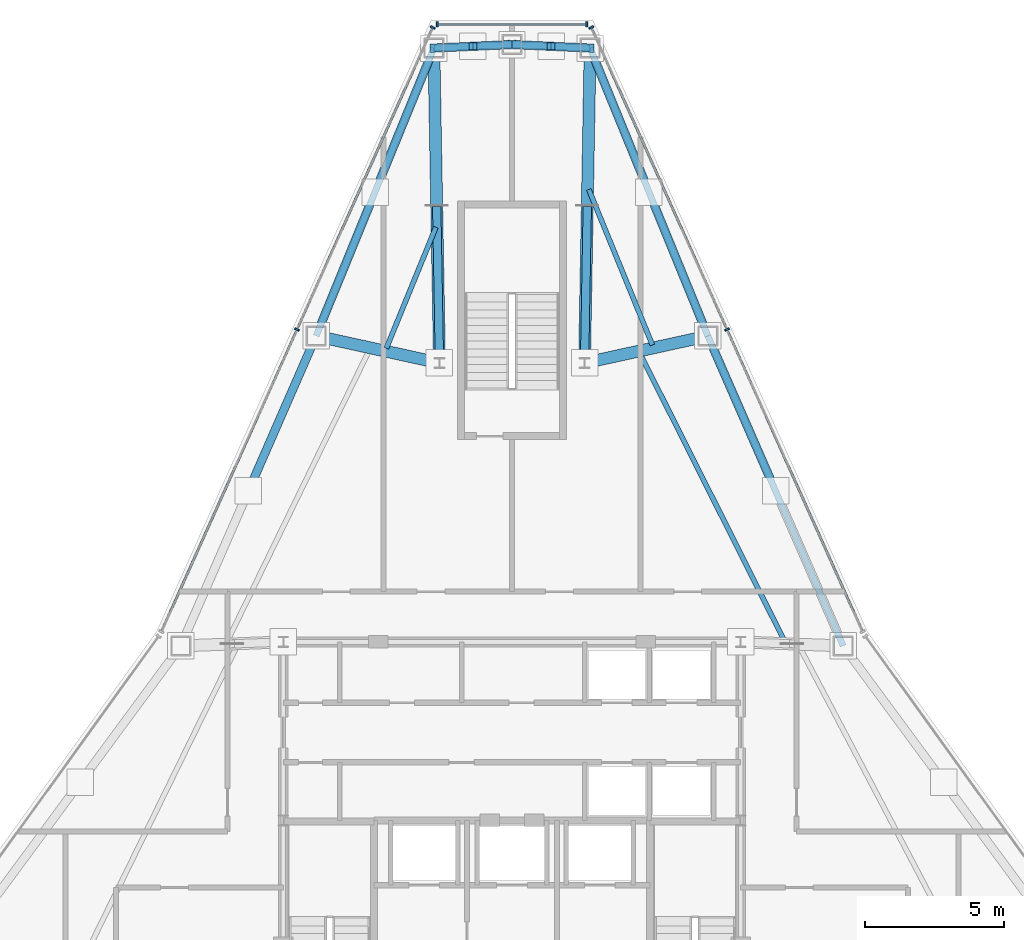
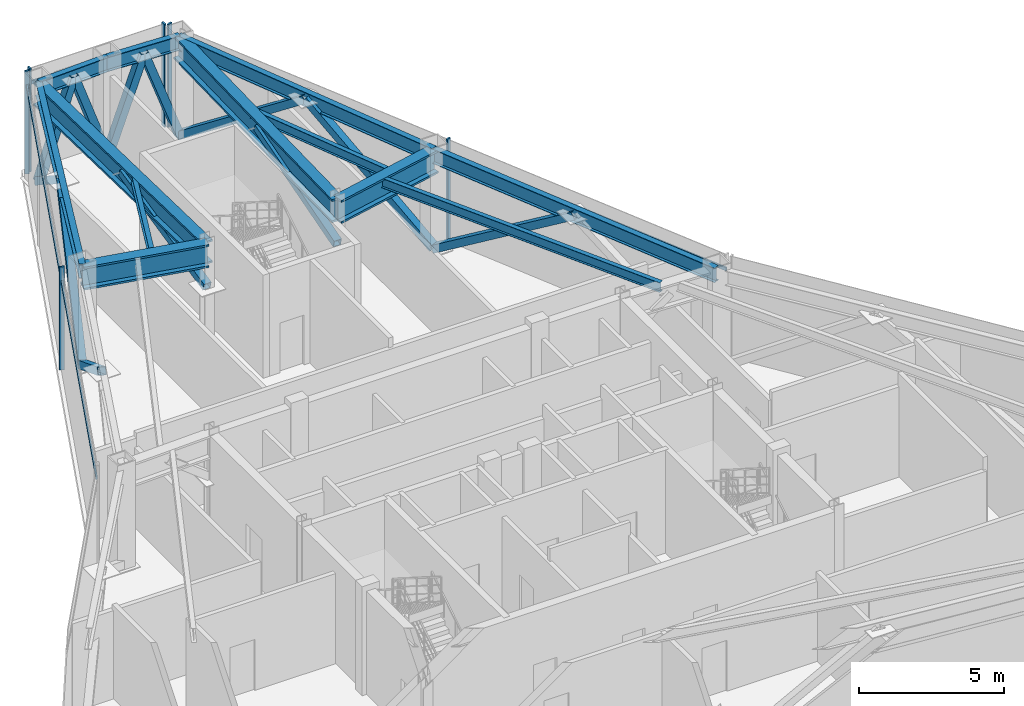
# One storey, part 7 of 12: 21 members, 12 beams, 3 elements without a shape of their own.
"""IFC4 building model written with IfcOpenShell, lengths in metres."""

import ifcopenshell
import ifcopenshell.guid

model = None  # the IFC model being written
_history = None  # IfcOwnerHistory: only IFC2X3 demands one
_inside = {}  # id of a spatial element -> (the spatial element, [elements in it])
_under = {}  # id of a project, library or spatial element -> (it, [spatial elements below it])
_declared = {}  # id of a project -> (the project, [libraries it declares])
_typed = {}  # id of a type object -> (the type object, [elements of that type])
_made_of = {}  # id of a material, layer set ... -> (it, [elements and type objects made of it])


def new_model(schema):
    """Start an empty IFC model of exactly this schema.

    Asked for "IFC4X3", IfcOpenShell would pick the latest addendum, in which some entities
    have other attributes; the version numbers below select the first issue.
    IFC2X3 requires an IfcOwnerHistory on every rooted entity: one is made here for all.
    """
    global model, _history
    if schema == "IFC4X3":
        model = ifcopenshell.file(schema_version=(4, 3, 0, 0))
    else:
        model = ifcopenshell.file(schema=schema)
    _inside.clear()
    _under.clear()
    _declared.clear()
    _typed.clear()
    _made_of.clear()
    _history = None
    if model.schema == "IFC2X3":
        org = make("IfcOrganization", Name="unknown")
        user = make(
            "IfcPersonAndOrganization",
            ThePerson=make("IfcPerson", FamilyName="unknown"),
            TheOrganization=org,
        )
        app = make(
            "IfcApplication",
            ApplicationDeveloper=org,
            Version="unknown",
            ApplicationFullName="unknown",
            ApplicationIdentifier="unknown",
        )
        _history = make(
            "IfcOwnerHistory",
            OwningUser=user,
            OwningApplication=app,
            ChangeAction="ADDED",
            CreationDate=0,
        )
    return model


def make(cls, **values):
    """One entity of the class cls with the attributes given. An attribute that is None is left unset."""
    return model.create_entity(
        cls, **{name: value for name, value in values.items() if value is not None}
    )


def rooted(cls, **values):
    """An entity with a GlobalId (a new one), such as an element, a storey or a relation."""
    return make(cls, GlobalId=ifcopenshell.guid.new(), OwnerHistory=_history, **values)


def si_unit(unit_type, name, prefix=None):
    """IfcSIUnit, for example si_unit("LENGTHUNIT", "METRE", prefix="MILLI")."""
    return make("IfcSIUnit", UnitType=unit_type, Prefix=prefix, Name=name)


def assignment(units):
    """IfcUnitAssignment: the units of a project."""
    return None if units is None else make("IfcUnitAssignment", Units=units)


def point(xyz):
    """IfcCartesianPoint."""
    return None if xyz is None else make("IfcCartesianPoint", Coordinates=xyz)


def direction(xyz):
    """IfcDirection."""
    return None if xyz is None else make("IfcDirection", DirectionRatios=xyz)


def frame(location, z_axis=None, x_axis=None):
    """IfcAxis2Placement3D, a coordinate frame: its origin and axes. An axis left out is left unset."""
    return make(
        "IfcAxis2Placement3D",
        Location=point(location),
        Axis=direction(z_axis),
        RefDirection=direction(x_axis),
    )


def frame_2d(location, x_axis=None):
    """IfcAxis2Placement2D, a coordinate frame in the plane: its origin and x axis."""
    return make(
        "IfcAxis2Placement2D", Location=point(location), RefDirection=direction(x_axis)
    )


def origin():
    """The frame at (0, 0, 0) with its axes left unset."""
    return frame((0.0, 0.0, 0.0))


def origin_2d():
    """The frame at (0, 0) in the plane with its x axis left unset."""
    return frame_2d((0.0, 0.0))


def place(relative_to, where):
    """IfcLocalPlacement: puts the frame where relative to a parent placement (None: the world)."""
    return make(
        "IfcLocalPlacement", PlacementRelTo=relative_to, RelativePlacement=where
    )


def context(
    kind, dimensions, precision=None, world=None, true_north=None, identifier=None
):
    """IfcGeometricRepresentationContext, for example the 3D "Model" context."""
    return make(
        "IfcGeometricRepresentationContext",
        ContextIdentifier=identifier,
        ContextType=kind,
        CoordinateSpaceDimension=dimensions,
        Precision=precision,
        WorldCoordinateSystem=world,
        TrueNorth=true_north,
    )


def subcontext(parent, identifier, kind, view, scale=None):
    """IfcGeometricRepresentationSubContext, for example "Body" below "Model"."""
    return make(
        "IfcGeometricRepresentationSubContext",
        ContextIdentifier=identifier,
        ContextType=kind,
        ParentContext=parent,
        TargetScale=scale,
        TargetView=view,
    )


def project(units=None, contexts=None):
    """IfcProject with its units and contexts."""
    return rooted(
        "IfcProject",
        Name="project",
        RepresentationContexts=contexts,
        UnitsInContext=assignment(units),
    )


def spatial(cls, under=None, at=None, **own):
    """A site, building, storey or space (cls), placed at a placement, below another one or the project."""
    s = rooted(cls, ObjectPlacement=at, **own)
    if under is not None:
        _under.setdefault(under.id(), (under, []))[1].append(s)
    return s


def profile(cls, at=None, kind="AREA", **sizes):
    """A parametric profile (cls). Its sizes go by their IFC names, for example OverallWidth=200.0."""
    return make(cls, ProfileType=kind, Position=at, **sizes)


def rectangle(**sizes):
    """IfcRectangleProfileDef."""
    return profile("IfcRectangleProfileDef", **sizes)


def hollow_rectangle(**sizes):
    """IfcRectangleHollowProfileDef."""
    return profile("IfcRectangleHollowProfileDef", **sizes)


def i_section(**sizes):
    """IfcIShapeProfileDef."""
    return profile("IfcIShapeProfileDef", **sizes)


def extrude(swept, where, along, depth):
    """IfcExtrudedAreaSolid: the profile swept, set in the frame where, extruded along a direction by depth."""
    return make(
        "IfcExtrudedAreaSolid",
        SweptArea=swept,
        Position=where,
        ExtrudedDirection=direction(along),
        Depth=depth,
    )


def shape(context_of_items, identifier, shape_type, items):
    """IfcShapeRepresentation: the items that make up one representation, for example the "Body"."""
    return make(
        "IfcShapeRepresentation",
        ContextOfItems=context_of_items,
        RepresentationIdentifier=identifier,
        RepresentationType=shape_type,
        Items=items,
    )


def source(mapping_origin, context_of_items, identifier, shape_type, items):
    """IfcRepresentationMap: a shape defined once, which mapped items show again and again."""
    return make(
        "IfcRepresentationMap",
        MappingOrigin=mapping_origin,
        MappedRepresentation=shape(context_of_items, identifier, shape_type, items),
    )


def transform(
    local_origin,
    x_axis=None,
    y_axis=None,
    z_axis=None,
    scale=None,
    scale2=None,
    scale3=None,
    uniform=True,
):
    """IfcCartesianTransformationOperator3D, or its non-uniform kind. x_axis, y_axis, z_axis: its Axis1, 2, 3."""
    if uniform:
        return make(
            "IfcCartesianTransformationOperator3D",
            Axis1=direction(x_axis),
            Axis2=direction(y_axis),
            LocalOrigin=point(local_origin),
            Scale=scale,
            Axis3=direction(z_axis),
        )
    return make(
        "IfcCartesianTransformationOperator3DnonUniform",
        Axis1=direction(x_axis),
        Axis2=direction(y_axis),
        LocalOrigin=point(local_origin),
        Scale=scale,
        Axis3=direction(z_axis),
        Scale2=scale2,
        Scale3=scale3,
    )


def mapped(mapping_source, mapping_target):
    """IfcMappedItem: shows the shape of a source again, moved by a transform."""
    return make(
        "IfcMappedItem", MappingSource=mapping_source, MappingTarget=mapping_target
    )


def material(Name=None, Category=None):
    """IfcMaterial."""
    return make("IfcMaterial", Name=Name, Category=Category)


def layer(
    of_material, thickness, ventilated=None, Name=None, Category=None, Priority=None
):
    """IfcMaterialLayer: one layer of a wall or slab, of a material (None: an air gap)."""
    return make(
        "IfcMaterialLayer",
        Material=of_material,
        LayerThickness=thickness,
        IsVentilated=ventilated,
        Name=Name,
        Category=Category,
        Priority=Priority,
    )


def layer_set(layers, Name=None):
    """IfcMaterialLayerSet."""
    return make("IfcMaterialLayerSet", MaterialLayers=layers, LayerSetName=Name)


def material_profile(
    of_material, cross_section, Name=None, Category=None, Priority=None
):
    """IfcMaterialProfile: a cross section and its material."""
    return make(
        "IfcMaterialProfile",
        Name=Name,
        Material=of_material,
        Profile=cross_section,
        Priority=Priority,
        Category=Category,
    )


def profile_set(profiles, Name=None, composite=None):
    """IfcMaterialProfileSet."""
    return make(
        "IfcMaterialProfileSet",
        Name=Name,
        MaterialProfiles=profiles,
        CompositeProfile=composite,
    )


def made_of(thing, what):
    """Note that an element or type object is made of a material, layer set ...; save() writes the relation."""
    if what is not None:
        _made_of.setdefault(what.id(), (what, []))[1].append(thing)
    return thing


def type_object(cls, material=None, **own):
    """A type object (cls), such as IfcWallType, which elements share."""
    return made_of(rooted(cls, **own), material)


def type_shapes(of_type, sources):
    """Give a type object the sources (RepresentationMaps) that its elements show as mapped items."""
    of_type.RepresentationMaps = sources


def element(
    cls,
    number,
    at=None,
    inside=None,
    cuts=None,
    type_object=None,
    material=None,
    context=None,
    identifier="Body",
    shape_type=None,
    held_by="IfcProductDefinitionShape",
    body=None,
    shapes=None,
    **own,
):
    """One element of the class cls, such as IfcWall. Its Tag is "e" and its number.

    at: its placement. inside: the storey or other place that contains it. cuts: it is an
    opening in that element (IfcRelVoidsElement). A single representation is given by context,
    identifier, shape_type and body (its items); several are given by shapes. held_by: the class
    of the entity that holds the representations. save() writes the other relations.
    """
    e = rooted(cls, Tag="e%d" % number, ObjectPlacement=at, **own)
    if body is not None:
        shapes = [shape(context, identifier, shape_type, body)]
    if shapes is not None:
        e.Representation = make(held_by, Representations=shapes)
    if inside is not None:
        _inside.setdefault(inside.id(), (inside, []))[1].append(e)
    if cuts is not None:
        rooted(
            "IfcRelVoidsElement", RelatingBuildingElement=cuts, RelatedOpeningElement=e
        )
    if type_object is not None:
        _typed.setdefault(type_object.id(), (type_object, []))[1].append(e)
    return made_of(e, material)


def aggregate(whole, parts):
    """IfcRelAggregates: a whole, such as a stair, and the parts it consists of."""
    return rooted("IfcRelAggregates", RelatingObject=whole, RelatedObjects=parts)


def save(model, path):
    """Write the relations noted so far, then the file.

    IfcRelAggregates (storeys below a building ...), IfcRelContainedInSpatialStructure (elements
    in a storey), IfcRelDefinesByType, IfcRelAssociatesMaterial and IfcRelDeclares: one each for
    every whole, place, type object, material and project.
    """
    for whole, parts in _under.values():
        aggregate(whole, parts)
    for where, things in _inside.values():
        rooted(
            "IfcRelContainedInSpatialStructure",
            RelatedElements=things,
            RelatingStructure=where,
        )
    for kind, things in _typed.values():
        rooted("IfcRelDefinesByType", RelatedObjects=things, RelatingType=kind)
    for what, things in _made_of.values():
        rooted("IfcRelAssociatesMaterial", RelatedObjects=things, RelatingMaterial=what)
    for by, libraries in _declared.values():
        rooted("IfcRelDeclares", RelatingContext=by, RelatedDefinitions=libraries)
    model.write(path)


model = new_model("IFC4")

# Units and contexts
model_context = context("Model", 3, precision=1e-05, world=origin(), true_north=direction((0.0, 1.0)))
body_context = subcontext(model_context, "Body", "Model", "MODEL_VIEW")
ifc_project = project(units=[si_unit("LENGTHUNIT", "METRE"), si_unit("AREAUNIT", "SQUARE_METRE"), si_unit("VOLUMEUNIT", "CUBIC_METRE"), si_unit("PLANEANGLEUNIT", "RADIAN"), si_unit("MASSUNIT", "GRAM", prefix="KILO")], contexts=[model_context])

# Site, building, storey
site_placement = place(None, origin())
site = spatial("IfcSite", under=ifc_project, at=site_placement, CompositionType="ELEMENT")
building_placement = place(site_placement, origin())
building = spatial("IfcBuilding", under=site, at=building_placement, Name="Varakhsha Concourse Tower", CompositionType="ELEMENT")
storey_placement = place(building_placement, frame((0.0, 0.0, 250.39990234375)))
storey = spatial("IfcBuildingStorey", under=building, at=storey_placement, Name="L71", CompositionType="ELEMENT", Elevation=250.39990234375)

# Beams
ifc_material_1 = material(Name="Structural Steel ASTM A992 Grade 50", Category="steel")
ifc_material_profile_1 = material_profile(ifc_material_1, i_section(OverallWidth=0.177978515625, OverallDepth=0.406982421875, WebThickness=0.008056640625, FlangeThickness=0.012939453125, at=origin_2d()), Name="W16X40")
ifc_profile_set_1 = profile_set([ifc_material_profile_1], Name="Structural Steel ASTM A992 Grade 50")
beam_type_1 = type_object("IfcBeamType", Name="BM-JST-W16X40", PredefinedType="JOIST", material=ifc_profile_set_1)
beam_1_placement = place(storey_placement, frame((37.270263671875, 46.06591796875, 4.146484375), z_axis=(-0.378645015477, -0.925541977576, 0.0), x_axis=(0.925541977576, -0.378645015477, 0.0)))
element("IfcBeam", 1, at=beam_1_placement, inside=storey, type_object=beam_type_1, Name="BM-TJST-L71-03", PredefinedType="JOIST", context=body_context, shape_type="SweptSolid", body=[
    extrude(i_section(OverallWidth=0.177978515625, OverallDepth=0.406982421875, WebThickness=0.008056640625, FlangeThickness=0.012939453125, at=origin_2d()), origin(), (0.0, 0.0, 1.0), 4.686767578125),
])
beam_2_placement = place(storey_placement, frame((49.767333984375, 31.23486328125, 4.146484375), z_axis=(-0.448984495449, 0.893539547444, 0.0), x_axis=(-0.893539547444, -0.448984495449, 0.0)))
element("IfcBeam", 2, at=beam_2_placement, inside=storey, type_object=beam_type_1, Name="BM-TJST-L71-17", PredefinedType="JOIST", context=body_context, shape_type="SweptSolid", body=[
    extrude(i_section(OverallWidth=0.177978515625, OverallDepth=0.406982421875, WebThickness=0.008056640625, FlangeThickness=0.012939453125, at=origin_2d()), origin(), (0.0, 0.0, 1.0), 11.51953125),
])
beam_3_placement = place(storey_placement, frame((45.034912109375, 41.84423828125, 4.146484375), z_axis=(-0.378596554977, 0.925561801588, 0.0), x_axis=(-0.925561801588, -0.378596554977, 0.0)))
element("IfcBeam", 3, at=beam_3_placement, inside=storey, type_object=beam_type_1, Name="BM-TJST-L71-18", PredefinedType="JOIST", context=body_context, shape_type="SweptSolid", body=[
    extrude(i_section(OverallWidth=0.177978515625, OverallDepth=0.406982421875, WebThickness=0.008056640625, FlangeThickness=0.012939453125, at=origin_2d()), origin(), (0.0, 0.0, 1.0), 6.02490234375),
])
ifc_material_profile_2 = material_profile(ifc_material_1, i_section(OverallWidth=0.22900390625, OverallDepth=0.612060546875, WebThickness=0.011962890625, FlangeThickness=0.02001953125, at=origin_2d()), Name="W24X84")
ifc_profile_set_2 = profile_set([ifc_material_profile_2], Name="Structural Steel ASTM A992 Grade 50")
beam_type_2 = type_object("IfcBeamType", Name="BM-SPAN-W24X84", PredefinedType="SPANDREL", material=ifc_profile_set_2)
for number, where, z_axis, x_axis, name in (
    (4, (42.80029296875, 52.489990234375, 4.044189453125), (-0.998969976315, 0.045376055594, 0.0), (-0.045376055594, -0.998969976315, 0.0), "BM-SPAN-L71-01"),
    (5, (40.0, 52.6171875, 4.044189453125), (-0.998969976315, -0.045376055594, 0.0), (0.045376055594, -0.998969976315, 0.0), "BM-SPAN-L71-02"),
):
    element("IfcBeam", number, at=place(storey_placement, frame(where, z_axis=z_axis, x_axis=x_axis)), inside=storey, type_object=beam_type_2, Name=name, PredefinedType="SPANDREL", context=body_context, shape_type="SweptSolid", body=[
        extrude(i_section(OverallWidth=0.22900390625, OverallDepth=0.612060546875, WebThickness=0.011962890625, FlangeThickness=0.02001953125, at=origin_2d()), origin(), (0.0, 0.0, 1.0), 2.80322265625),
    ])
beam_4_placement = place(storey_placement, frame((37.19970703125, 52.489990234375, 4.044189453125), z_axis=(-0.37863796052, -0.925544863771, 0.0), x_axis=(0.925544863771, -0.37863796052, 0.0)))
element("IfcBeam", 6, at=beam_4_placement, inside=storey, type_object=beam_type_2, Name="BM-SPAN-L71-03", PredefinedType="SPANDREL", context=body_context, shape_type="SweptSolid", body=[
    extrude(i_section(OverallWidth=0.22900390625, OverallDepth=0.612060546875, WebThickness=0.011962890625, FlangeThickness=0.02001953125, at=origin_2d()), origin(), (0.0, 0.0, 1.0), 11.151611328125),
])
beam_5_placement = place(storey_placement, frame((51.874267578125, 31.0556640625, 4.044189453125), z_axis=(-0.400099437724, 0.916471734388, 0.0), x_axis=(-0.916471734388, -0.400099437724, 0.0)))
element("IfcBeam", 7, at=beam_5_placement, inside=storey, type_object=beam_type_2, Name="BM-SPAN-L71-17", PredefinedType="SPANDREL", context=body_context, shape_type="SweptSolid", body=[
    extrude(i_section(OverallWidth=0.22900390625, OverallDepth=0.612060546875, WebThickness=0.011962890625, FlangeThickness=0.02001953125, at=origin_2d()), origin(), (0.0, 0.0, 1.0), 12.1259765625),
])
beam_6_placement = place(storey_placement, frame((47.022705078125, 42.168701171875, 4.044189453125), z_axis=(-0.37863796052, 0.925544863771, 0.0), x_axis=(-0.925544863771, -0.37863796052, 0.0)))
element("IfcBeam", 8, at=beam_6_placement, inside=storey, type_object=beam_type_2, Name="BM-SPAN-L71-18", PredefinedType="SPANDREL", context=body_context, shape_type="SweptSolid", body=[
    extrude(i_section(OverallWidth=0.22900390625, OverallDepth=0.612060546875, WebThickness=0.011962890625, FlangeThickness=0.02001953125, at=origin_2d()), origin(), (0.0, 0.0, 1.0), 11.151611328125),
])
ifc_material_profile_3 = material_profile(ifc_material_1, i_section(OverallWidth=0.427978515625, OverallDepth=0.97509765625, WebThickness=0.050048828125, FlangeThickness=0.0810546875, at=origin_2d()), Name="W36X395")
ifc_profile_set_3 = profile_set([ifc_material_profile_3], Name="Structural Steel ASTM A992 Grade 50")
beam_type_3 = type_object("IfcBeamType", Name="BM-XFER-W36X395", PredefinedType="USERDEFINED", material=ifc_profile_set_3)
for number, where, z_axis, x_axis, name in (
    (9, (42.60009765625, 41.199951171875, 3.862548828125), (0.017729243063, 0.999842824618, 0.0), (-0.999842824618, 0.017729243063, 0.0), "L71 Outrigger Top Chord 01"),
    (10, (37.39990234375, 41.199951171875, 3.862548828125), (-0.017729243063, 0.999842824618, 0.0), (-0.999842824618, -0.017729243063, 0.0), "L71 Outrigger Top Chord 03"),
):
    element("IfcBeam", number, at=place(storey_placement, frame(where, z_axis=z_axis, x_axis=x_axis)), inside=storey, type_object=beam_type_3, Name=name, ObjectType="GIRDER", PredefinedType="USERDEFINED", context=body_context, shape_type="SweptSolid", body=[
        extrude(i_section(OverallWidth=0.427978515625, OverallDepth=0.97509765625, WebThickness=0.050048828125, FlangeThickness=0.0810546875, at=origin_2d()), origin(), (0.0, 0.0, 1.0), 11.291748046875),
    ])
for number, where, z_axis, x_axis, name in (
    (11, (37.39990234375, 41.199951171875, 3.862548828125), (-0.976839822621, 0.213971869509, 0.0), (-0.213971869509, -0.976839822621, 0.0), "L71 Outrigger Top Chord 04"),
    (12, (42.60009765625, 41.199951171875, 3.862548828125), (0.976839822621, 0.213971869509, 0.0), (-0.213971869509, 0.976839822621, 0.0), "L71 Outrigger Top Chord 18"),
):
    element("IfcBeam", number, at=place(storey_placement, frame(where, z_axis=z_axis, x_axis=x_axis)), inside=storey, type_object=beam_type_3, Name=name, ObjectType="GIRDER", PredefinedType="USERDEFINED", context=body_context, shape_type="SweptSolid", body=[
        extrude(i_section(OverallWidth=0.427978515625, OverallDepth=0.97509765625, WebThickness=0.050048828125, FlangeThickness=0.0810546875, at=origin_2d()), origin(), (0.0, 0.0, 1.0), 4.52734375),
    ])

# Members
ifc_material_2 = material(Name="Structural Steel ASTM A500 Grade C", Category="steel")
ifc_material_profile_4 = material_profile(ifc_material_2, hollow_rectangle(XDim=0.300048828125, YDim=0.300048828125, WallThickness=0.013916015625, at=origin_2d()), Name="HSS 300x300x14")
ifc_profile_set_4 = profile_set([ifc_material_profile_4], Name="Structural Steel ASTM A500 Grade C")
member_type_1 = type_object("IfcMemberType", Name="MB-BELT-HSS300", PredefinedType="BRACE", material=ifc_profile_set_4)
shared_shape_1 = source(origin(), body_context, "Body", "SweptSolid", [
    extrude(hollow_rectangle(XDim=0.300048828125, YDim=0.300048828125, WallThickness=0.013916015625, at=origin_2d()), origin(), (0.0, 0.0, 1.0), 4.17236328125),
])
for number, where, z_axis, x_axis, name in (
    (13, (42.80029296875, 52.489990234375, 0.1201171875), (-0.335574260729, 0.015271993383, 0.94188995204), (-0.045462969909, -0.998966024631, 0.0), "L71 Belt Truss Chevron 01A"),
    (14, (40.0, 52.6171875, 0.1201171875), (0.335574560029, -0.015213493567, 0.941890792117), (0.045289140248, 0.998973920468, 0.0), "L71 Belt Truss Chevron 01B"),
    (15, (40.0, 52.6171875, 0.1201171875), (-0.335574560029, -0.015213493567, 0.941890792117), (0.045289140248, -0.998973920468, 0.0), "L71 Belt Truss Chevron 02A"),
    (16, (37.19970703125, 52.489990234375, 0.1201171875), (0.335574260729, 0.015271993383, 0.94188995204), (-0.045462969909, 0.998966024631, 0.0), "L71 Belt Truss Chevron 02B"),
):
    element("IfcMember", number, at=place(storey_placement, frame(where, z_axis=z_axis, x_axis=x_axis)), inside=storey, type_object=member_type_1, Name=name, PredefinedType="BRACE", context=body_context, shape_type="MappedRepresentation", body=[
        mapped(shared_shape_1, transform((0.0, 0.0, 0.0), scale=1.0)),
    ])
shared_shape_2 = source(origin(), body_context, "Body", "SweptSolid", [
    extrude(hollow_rectangle(XDim=0.300048828125, YDim=0.300048828125, WallThickness=0.013916015625, at=origin_2d()), origin(), (0.0, 0.0, 1.0), 6.821533203125),
])
for number, where, z_axis, x_axis, name in (
    (17, (37.19970703125, 52.489990234375, 0.1201171875), (-0.309505978015, -0.756514496216, 0.576100569855), (0.925537191351, -0.378656714486, 0.0), "L71 Belt Truss Chevron 03A"),
    (18, (32.977294921875, 42.168701171875, 0.1201171875), (0.309473616564, 0.756522875787, 0.576106951062), (-0.925552535939, 0.378619206087, 0.0), "L71 Belt Truss Chevron 03B"),
    (19, (47.022705078125, 42.168701171875, 0.1201171875), (-0.309473616564, 0.756522875787, 0.576106951062), (-0.925552535939, -0.378619206087, 0.0), "L71 Belt Truss Chevron 18A"),
    (20, (42.80029296875, 52.489990234375, 0.1201171875), (0.309505978015, -0.756514496216, 0.576100569855), (0.925537191351, 0.378656714486, 0.0), "L71 Belt Truss Chevron 18B"),
):
    element("IfcMember", number, at=place(storey_placement, frame(where, z_axis=z_axis, x_axis=x_axis)), inside=storey, type_object=member_type_1, Name=name, PredefinedType="BRACE", context=body_context, shape_type="MappedRepresentation", body=[
        mapped(shared_shape_2, transform((0.0, 0.0, 0.0), scale=1.0)),
    ])
shared_shape_3 = source(origin(), body_context, "Body", "SweptSolid", [
    extrude(hollow_rectangle(XDim=0.300048828125, YDim=0.300048828125, WallThickness=0.013916015625, at=origin_2d()), origin(), (0.0, 0.0, 1.0), 7.22509765625),
])
type_shapes(member_type_1, [shared_shape_1, shared_shape_2, shared_shape_3])
for number, where, z_axis, x_axis, name in (
    (21, (32.977294921875, 42.168701171875, 0.1201171875), (-0.335742821374, -0.769038936358, 0.543926348195), (0.916468511285, -0.400106820516, 0.0), "L71 Belt Truss Chevron 04A"),
    (22, (47.022705078125, 42.168701171875, 0.1201171875), (0.335742821374, -0.769038936358, 0.543926348195), (0.916468511285, 0.400106820516, 0.0), "L71 Belt Truss Chevron 17B"),
):
    element("IfcMember", number, at=place(storey_placement, frame(where, z_axis=z_axis, x_axis=x_axis)), inside=storey, type_object=member_type_1, Name=name, PredefinedType="BRACE", context=body_context, shape_type="MappedRepresentation", body=[
        mapped(shared_shape_3, transform((0.0, 0.0, 0.0), scale=1.0)),
    ])
ifc_material_profile_5 = material_profile(ifc_material_2, hollow_rectangle(XDim=0.300048828125, YDim=0.300048828125, WallThickness=0.013916015625, at=origin_2d()), Name="HSS 300x300x14")
ifc_profile_set_5 = profile_set([ifc_material_profile_5], Name="Structural Steel ASTM A500 Grade C")
member_type_2 = type_object("IfcMemberType", Name="MB-OUTR-HSS300", PredefinedType="STRUT", material=ifc_profile_set_5)
shared_shape_4 = source(origin(), body_context, "Body", "SweptSolid", [
    extrude(hollow_rectangle(XDim=0.300048828125, YDim=0.300048828125, WallThickness=0.013916015625, at=origin_2d()), origin(), (0.0, 0.0, 1.0), 5.8291015625),
])
type_shapes(member_type_2, [shared_shape_4])
for number, where, z_axis, x_axis, name in (
    (23, (42.60009765625, 41.199951171875, 2.4501953125), (0.017172005481, 0.968417343253, 0.248742781835), (-0.999842824618, 0.017729243063, 0.0), "L71 Outrigger Truss Strut 01"),
    (24, (37.39990234375, 41.199951171875, 2.4501953125), (-0.017172005481, 0.968417343253, 0.248742781835), (-0.999842824618, -0.017729243063, 0.0), "L71 Outrigger Truss Strut 02"),
):
    element("IfcMember", number, at=place(storey_placement, frame(where, z_axis=z_axis, x_axis=x_axis)), inside=storey, type_object=member_type_2, Name=name, PredefinedType="STRUT", context=body_context, shape_type="MappedRepresentation", body=[
        mapped(shared_shape_4, transform((0.0, 0.0, 0.0), scale=1.0)),
    ])

# Curtain wall, members
ifc_material_3 = material(Name="Anodised Bronze Architectural Aluminium AA 6063-T6", Category="aluminium")
ifc_layer = layer(ifc_material_3, 0.260009765625, Name="CW-SYS-06")
ifc_layer_set = layer_set([ifc_layer], Name="Anodised Bronze Architectural Aluminium AA 6063-T6")
curtain_wall_type = type_object("IfcCurtainWallType", Name="CW-SYS-06", PredefinedType="NOTDEFINED", material=ifc_layer_set)
curtain_wall_1_placement = place(storey_placement, origin())
curtain_wall_1 = element("IfcCurtainWall", 25, at=curtain_wall_1_placement, inside=storey, type_object=curtain_wall_type, Name="L71 Chamfer Curtain Wall F1", PredefinedType="NOTDEFINED")
ifc_material_profile_6 = material_profile(ifc_material_3, rectangle(XDim=0.06494140625, YDim=0.179931640625, at=origin_2d()), Name="CWM-180X65")
ifc_profile_set_6 = profile_set([ifc_material_profile_6], Name="Anodised Bronze Architectural Aluminium AA 6063-T6")
member_type_3 = type_object("IfcMemberType", Name="CWM-180X65", PredefinedType="MULLION", material=ifc_profile_set_6)
shared_shape_5 = source(origin(), body_context, "Body", "SweptSolid", [
    extrude(rectangle(XDim=0.06494140625, YDim=0.179931640625, at=origin_2d()), origin(), (0.0, 0.0, 1.0), 4.35009765625),
])
type_shapes(member_type_3, [shared_shape_5])
member_1_placement = place(storey_placement, frame((37.320068359375, 53.337158203125, 0.0), z_axis=(0.0, 0.0, 1.0), x_axis=(1.0, 0.0, 0.0)))
member_1 = element("IfcMember", 26, at=member_1_placement, type_object=member_type_3, Name="CW-L71-F1 Mullion 00", PredefinedType="MULLION", context=body_context, shape_type="MappedRepresentation", body=[
    mapped(shared_shape_5, transform((0.0, 0.0, 0.0), scale=1.0)),
])
member_2_placement = place(storey_placement, frame((42.679931640625, 53.337158203125, 0.0), z_axis=(0.0, 0.0, 1.0), x_axis=(1.0, 0.0, 0.0)))
member_2 = element("IfcMember", 27, at=member_2_placement, type_object=member_type_3, Name="CW-L71-F1 Mullion 01", PredefinedType="MULLION", context=body_context, shape_type="MappedRepresentation", body=[
    mapped(shared_shape_5, transform((0.0, 0.0, 0.0), scale=1.0)),
])

curtain_wall_2_placement = place(storey_placement, origin())
curtain_wall_2 = element("IfcCurtainWall", 28, at=curtain_wall_2_placement, inside=storey, type_object=curtain_wall_type, Name="L71 Crystal Curtain Wall F2", PredefinedType="NOTDEFINED")
member_3_placement = place(storey_placement, frame((32.2919921875, 42.39990234375, 0.0), z_axis=(0.0, 0.0, 1.0), x_axis=(0.409661937266, 0.912237412714, 0.0)))
member_3 = element("IfcMember", 29, at=member_3_placement, type_object=member_type_3, Name="CW-L71-F2 Mullion 01", PredefinedType="MULLION", context=body_context, shape_type="MappedRepresentation", body=[
    mapped(shared_shape_5, transform((0.0, 0.0, 0.0), scale=1.0)),
])
member_4_placement = place(storey_placement, frame((37.15576171875, 53.23095703125, 0.0), z_axis=(0.0, 0.0, 1.0), x_axis=(0.409661937266, 0.912237412714, 0.0)))
member_4 = element("IfcMember", 30, at=member_4_placement, type_object=member_type_3, Name="CW-L71-F2 Mullion 02", PredefinedType="MULLION", context=body_context, shape_type="MappedRepresentation", body=[
    mapped(shared_shape_5, transform((0.0, 0.0, 0.0), scale=1.0)),
])

curtain_wall_3_placement = place(storey_placement, origin())
curtain_wall_3 = element("IfcCurtainWall", 31, at=curtain_wall_3_placement, inside=storey, type_object=curtain_wall_type, Name="L71 Crystal Curtain Wall F9", PredefinedType="NOTDEFINED")
member_5_placement = place(storey_placement, frame((42.84423828125, 53.23095703125, 0.0), z_axis=(0.0, 0.0, 1.0), x_axis=(0.409661937266, -0.912237412714, 0.0)))
member_5 = element("IfcMember", 32, at=member_5_placement, type_object=member_type_3, Name="CW-L71-F9 Mullion 00", PredefinedType="MULLION", context=body_context, shape_type="MappedRepresentation", body=[
    mapped(shared_shape_5, transform((0.0, 0.0, 0.0), scale=1.0)),
])
member_6_placement = place(storey_placement, frame((47.7080078125, 42.39990234375, 0.0), z_axis=(0.0, 0.0, 1.0), x_axis=(0.409661937266, -0.912237412714, 0.0)))
member_6 = element("IfcMember", 33, at=member_6_placement, type_object=member_type_3, Name="CW-L71-F9 Mullion 01", PredefinedType="MULLION", context=body_context, shape_type="MappedRepresentation", body=[
    mapped(shared_shape_5, transform((0.0, 0.0, 0.0), scale=1.0)),
])

# Member
ifc_material_profile_7 = material_profile(ifc_material_3, rectangle(XDim=0.06005859375, YDim=0.139892578125, at=origin_2d()), Name="CWT-140X60")
ifc_profile_set_7 = profile_set([ifc_material_profile_7], Name="Anodised Bronze Architectural Aluminium AA 6063-T6")
member_type_4 = type_object("IfcMemberType", Name="CWT-140X60", PredefinedType="USERDEFINED", material=ifc_profile_set_7)
shared_shape_6 = source(origin(), body_context, "Body", "SweptSolid", [
    extrude(rectangle(XDim=0.06005859375, YDim=0.139892578125, at=origin_2d()), origin(), (0.0, 0.0, 1.0), 5.35986328125),
])
member_7_placement = place(storey_placement, frame((37.320068359375, 53.337158203125, 3.7001953125), z_axis=(1.0, 0.0, 0.0), x_axis=(0.0, 1.0, 0.0)))
member_7 = element("IfcMember", 34, at=member_7_placement, type_object=member_type_4, Name="CW-L71-F1 Transom 01", ObjectType="TRANSOM", PredefinedType="USERDEFINED", context=body_context, shape_type="MappedRepresentation", body=[
    mapped(shared_shape_6, transform((0.0, 0.0, 0.0), scale=1.0)),
])

aggregate(curtain_wall_1, [member_1, member_2, member_7])

shared_shape_7 = source(origin(), body_context, "Body", "SweptSolid", [
    extrude(rectangle(XDim=0.06005859375, YDim=0.139892578125, at=origin_2d()), origin(), (0.0, 0.0, 1.0), 23.745849609375),
])
type_shapes(member_type_4, [shared_shape_6, shared_shape_7])
member_8_placement = place(storey_placement, frame((27.427978515625, 31.569091796875, 3.7001953125), z_axis=(0.40966217176, 0.912237307409, 0.0), x_axis=(-0.912237307409, 0.40966217176, 0.0)))
member_8 = element("IfcMember", 35, at=member_8_placement, type_object=member_type_4, Name="CW-L71-F2 Transom 01", ObjectType="TRANSOM", PredefinedType="USERDEFINED", context=body_context, shape_type="MappedRepresentation", body=[
    mapped(shared_shape_7, transform((0.0, 0.0, 0.0), scale=1.0)),
])

aggregate(curtain_wall_2, [member_3, member_4, member_8])

member_9_placement = place(storey_placement, frame((42.84423828125, 53.23095703125, 3.7001953125), z_axis=(0.40966217176, -0.912237307409, 0.0), x_axis=(0.912237307409, 0.40966217176, 0.0)))
member_9 = element("IfcMember", 36, at=member_9_placement, type_object=member_type_4, Name="CW-L71-F9 Transom 01", ObjectType="TRANSOM", PredefinedType="USERDEFINED", context=body_context, shape_type="MappedRepresentation", body=[
    mapped(shared_shape_7, transform((0.0, 0.0, 0.0), scale=1.0)),
])

aggregate(curtain_wall_3, [member_5, member_6, member_9])

save(model, "model.ifc")
